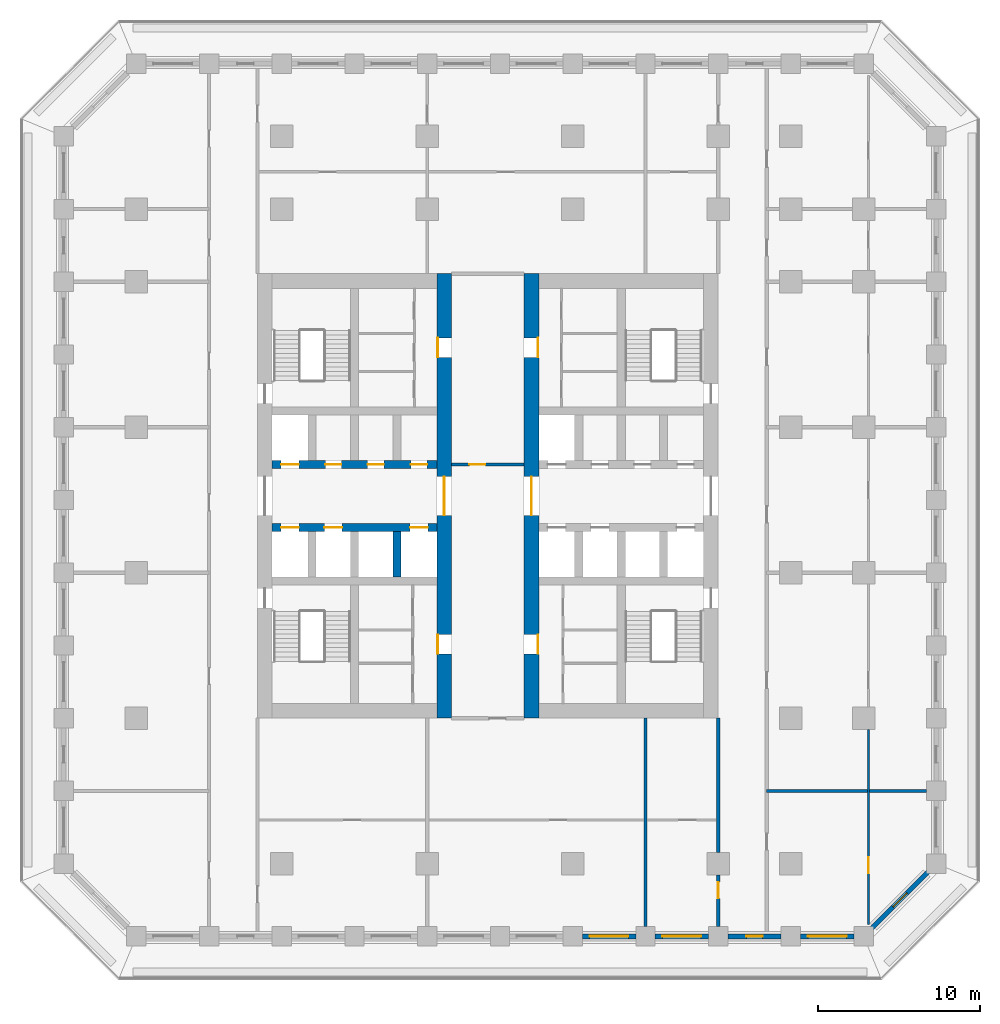
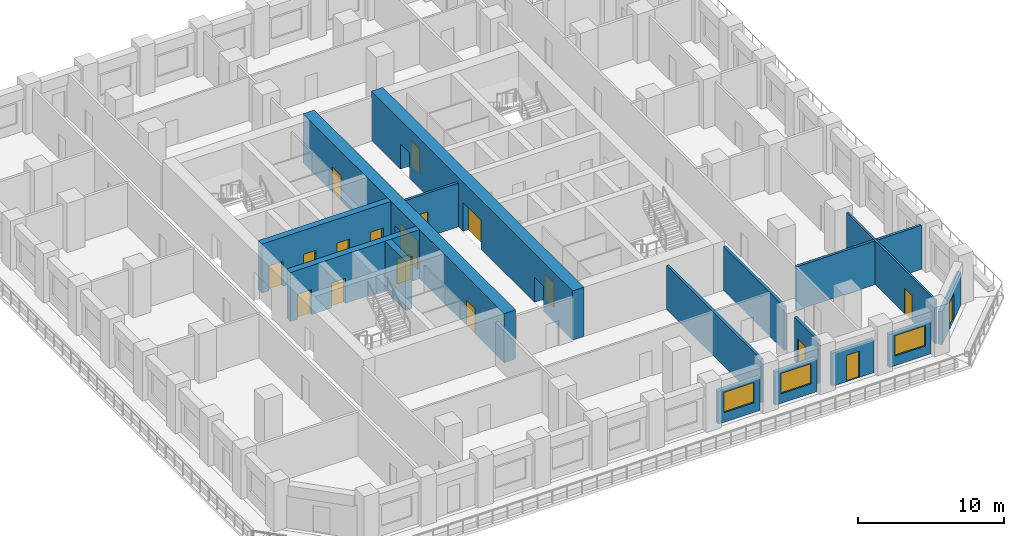
# One storey, part 4 of 17: 18 doors, 16 walls, 3 windows, 21 openings.
"""IFC4 building model written with IfcOpenShell, lengths in metres."""

from ifc_helpers import new_model, si_unit, direction, frame, frame_2d, origin, place, context, subcontext, project, spatial, rectangle, extrude, material, layer, layer_set, type_object, element, fill, save


model = new_model("IFC4")

# Units and contexts
model_context = context("Model", 3, precision=1e-05, world=origin(), true_north=direction((0.0, 1.0)))
body_context = subcontext(model_context, "Body", "Model", "MODEL_VIEW")
ifc_project = project(units=[si_unit("LENGTHUNIT", "METRE"), si_unit("AREAUNIT", "SQUARE_METRE"), si_unit("VOLUMEUNIT", "CUBIC_METRE"), si_unit("PLANEANGLEUNIT", "RADIAN"), si_unit("MASSUNIT", "GRAM", prefix="KILO")], contexts=[model_context])

# Site, building, storey
site_placement = place(None, origin())
site = spatial("IfcSite", under=ifc_project, at=site_placement, CompositionType="ELEMENT")
building_placement = place(site_placement, origin())
building = spatial("IfcBuilding", under=site, at=building_placement, Name="Corbel Stack Research Tower", CompositionType="ELEMENT")
storey_placement = place(building_placement, frame((0.0, 0.0, 94.300048828125)))
storey = spatial("IfcBuildingStorey", under=building, at=storey_placement, Name="L21", CompositionType="ELEMENT", Elevation=94.300048828125)

# Wall, openings, doors
ifc_material_1 = material(Name="Concrete C70/85", Category="concrete")
ifc_layer_1 = layer(ifc_material_1, 0.5)
ifc_layer_set_1 = layer_set([ifc_layer_1], Name="Concrete C70/85")
wall_type_1 = type_object("IfcWallType", Name="CW-500-70", PredefinedType="SHEAR", material=ifc_layer_set_1)
wall_1_placement = place(storey_placement, frame((-9.60009765625, 2.800048828125, 0.0), z_axis=(0.0, 0.0, 1.0), x_axis=(1.0, 0.0, 0.0)))
wall_1 = element("IfcWall", 1, at=wall_1_placement, inside=storey, type_object=wall_type_1, Name="West core wall, lobby south L21", PredefinedType="SHEAR", context=body_context, shape_type="SweptSolid", body=[
    extrude(rectangle(XDim=10.2001953125, YDim=0.5, at=frame_2d((5.10009765625, 0.0))), origin(), (0.0, 0.0, 1.0), 4.099853515625),
])
opening_1_placement = place(wall_1_placement, frame((0.5625, 0.0, 0.0)))
opening_1 = element("IfcOpeningElement", 2, at=opening_1_placement, cuts=wall_1, Name="Opening LD-FS1", PredefinedType="OPENING", context=body_context, shape_type="SweptSolid", body=[
    extrude(rectangle(XDim=1.10009765625, YDim=2.10009765625, at=frame_2d((0.550048828125, 1.050048828125))), frame((0.0, 0.260009765625, 0.0), z_axis=(0.0, -1.0, 0.0), x_axis=(1.0, 0.0, 0.0)), (0.0, 0.0, 1.0), 0.52001953125),
])
opening_2_placement = place(wall_1_placement, frame((3.237548828125, 0.0, 0.0)))
opening_2 = element("IfcOpeningElement", 3, at=opening_2_placement, cuts=wall_1, Name="Opening LD-GL1", PredefinedType="OPENING", context=body_context, shape_type="SweptSolid", body=[
    extrude(rectangle(XDim=1.10009765625, YDim=2.10009765625, at=frame_2d((0.550048828125, 1.050048828125))), frame((0.0, 0.260009765625, 0.0), z_axis=(0.0, -1.0, 0.0), x_axis=(1.0, 0.0, 0.0)), (0.0, 0.0, 1.0), 0.52001953125),
])
opening_3_placement = place(wall_1_placement, frame((8.53759765625, 0.0, 0.0)))
opening_3 = element("IfcOpeningElement", 4, at=opening_3_placement, cuts=wall_1, Name="Opening LD-LR1", PredefinedType="OPENING", context=body_context, shape_type="SweptSolid", body=[
    extrude(rectangle(XDim=1.10009765625, YDim=2.10009765625, at=frame_2d((0.550048828125, 1.050048828125))), frame((0.0, 0.260009765625, 0.0), z_axis=(0.0, -1.0, 0.0), x_axis=(1.0, 0.0, 0.0)), (0.0, 0.0, 1.0), 0.52001953125),
])
ifc_material_2 = material(Name="Stainless steel landing door", Category="steel")
door_type_1 = type_object("IfcDoorType", Name="Lift landing door 1100 x 2100", OperationType="DOUBLE_DOOR_SLIDING", PredefinedType="DOOR", material=ifc_material_2)
door_1_placement = place(opening_1_placement, origin())
door_1 = element("IfcDoor", 5, at=door_1_placement, inside=storey, type_object=door_type_1, Name="Landing door FS1", OperationType="DOUBLE_DOOR_SLIDING", OverallHeight=2.10009765625, OverallWidth=1.10009765625, PredefinedType="DOOR", context=body_context, shape_type="SweptSolid", body=[
    extrude(rectangle(XDim=1.10009765625, YDim=2.10009765625, at=frame_2d((0.550048828125, 1.050048828125))), frame((0.0, 0.02490234375, 0.0), z_axis=(0.0, -1.0, 0.0), x_axis=(1.0, 0.0, 0.0)), (0.0, 0.0, 1.0), 0.050048828125),
])
fill(opening_1, door_1)
door_2_placement = place(opening_2_placement, origin())
door_2 = element("IfcDoor", 6, at=door_2_placement, inside=storey, type_object=door_type_1, Name="Landing door GL1", OperationType="DOUBLE_DOOR_SLIDING", OverallHeight=2.10009765625, OverallWidth=1.10009765625, PredefinedType="DOOR", context=body_context, shape_type="SweptSolid", body=[
    extrude(rectangle(XDim=1.10009765625, YDim=2.10009765625, at=frame_2d((0.550048828125, 1.050048828125))), frame((0.0, 0.02490234375, 0.0), z_axis=(0.0, -1.0, 0.0), x_axis=(1.0, 0.0, 0.0)), (0.0, 0.0, 1.0), 0.050048828125),
])
fill(opening_2, door_2)
door_3_placement = place(opening_3_placement, origin())
door_3 = element("IfcDoor", 7, at=door_3_placement, inside=storey, type_object=door_type_1, Name="Landing door LR1", OperationType="DOUBLE_DOOR_SLIDING", OverallHeight=2.10009765625, OverallWidth=1.10009765625, PredefinedType="DOOR", context=body_context, shape_type="SweptSolid", body=[
    extrude(rectangle(XDim=1.10009765625, YDim=2.10009765625, at=frame_2d((0.550048828125, 1.050048828125))), frame((0.0, 0.02490234375, 0.0), z_axis=(0.0, -1.0, 0.0), x_axis=(1.0, 0.0, 0.0)), (0.0, 0.0, 1.0), 0.050048828125),
])
fill(opening_3, door_3)

wall_2_placement = place(storey_placement, frame((-9.60009765625, 6.699951171875, 0.0), z_axis=(0.0, 0.0, 1.0), x_axis=(1.0, 0.0, 0.0)))
wall_2 = element("IfcWall", 8, at=wall_2_placement, inside=storey, type_object=wall_type_1, Name="West core wall, lobby north L21", PredefinedType="SHEAR", context=body_context, shape_type="SweptSolid", body=[
    extrude(rectangle(XDim=10.2001953125, YDim=0.5, at=frame_2d((5.10009765625, 0.0))), origin(), (0.0, 0.0, 1.0), 4.099853515625),
])
opening_4_placement = place(wall_2_placement, frame((0.5625, 0.0, 0.0)))
opening_4 = element("IfcOpeningElement", 9, at=opening_4_placement, cuts=wall_2, Name="Opening LD-LR2", PredefinedType="OPENING", context=body_context, shape_type="SweptSolid", body=[
    extrude(rectangle(XDim=1.10009765625, YDim=2.10009765625, at=frame_2d((0.550048828125, 1.050048828125))), frame((0.0, 0.260009765625, 0.0), z_axis=(0.0, -1.0, 0.0), x_axis=(1.0, 0.0, 0.0)), (0.0, 0.0, 1.0), 0.52001953125),
])
opening_5_placement = place(wall_2_placement, frame((3.28759765625, 0.0, 0.0)))
opening_5 = element("IfcOpeningElement", 10, at=opening_5_placement, cuts=wall_2, Name="Opening CR-W12-N2", PredefinedType="OPENING", context=body_context, shape_type="SweptSolid", body=[
    extrude(rectangle(XDim=1.0, YDim=2.10009765625, at=frame_2d((0.5, 1.050048828125))), frame((0.0, 0.260009765625, 0.0), z_axis=(0.0, -1.0, 0.0), x_axis=(1.0, 0.0, 0.0)), (0.0, 0.0, 1.0), 0.52001953125),
])
opening_6_placement = place(wall_2_placement, frame((5.91259765625, 0.0, 0.0)))
opening_6 = element("IfcOpeningElement", 11, at=opening_6_placement, cuts=wall_2, Name="Opening CR-W12-N3", PredefinedType="OPENING", context=body_context, shape_type="SweptSolid", body=[
    extrude(rectangle(XDim=1.0, YDim=2.10009765625, at=frame_2d((0.5, 1.050048828125))), frame((0.0, 0.260009765625, 0.0), z_axis=(0.0, -1.0, 0.0), x_axis=(1.0, 0.0, 0.0)), (0.0, 0.0, 1.0), 0.52001953125),
])
opening_7_placement = place(wall_2_placement, frame((8.58740234375, 0.0, 0.0)))
opening_7 = element("IfcOpeningElement", 12, at=opening_7_placement, cuts=wall_2, Name="Opening CR-W12-N4", PredefinedType="OPENING", context=body_context, shape_type="SweptSolid", body=[
    extrude(rectangle(XDim=1.0, YDim=2.10009765625, at=frame_2d((0.5, 1.050048828125))), frame((0.0, 0.260009765625, 0.0), z_axis=(0.0, -1.0, 0.0), x_axis=(1.0, 0.0, 0.0)), (0.0, 0.0, 1.0), 0.52001953125),
])
door_4_placement = place(opening_4_placement, origin())
door_4 = element("IfcDoor", 13, at=door_4_placement, inside=storey, type_object=door_type_1, Name="Landing door LR2", OperationType="DOUBLE_DOOR_SLIDING", OverallHeight=2.10009765625, OverallWidth=1.10009765625, PredefinedType="DOOR", context=body_context, shape_type="SweptSolid", body=[
    extrude(rectangle(XDim=1.10009765625, YDim=2.10009765625, at=frame_2d((0.550048828125, 1.050048828125))), frame((0.0, 0.02490234375, 0.0), z_axis=(0.0, -1.0, 0.0), x_axis=(1.0, 0.0, 0.0)), (0.0, 0.0, 1.0), 0.050048828125),
])
fill(opening_4, door_4)
ifc_material_3 = material(Name="Painted steel door", Category="steel")
door_type_2 = type_object("IfcDoorType", Name="Service door 1000 x 2100 FD60 left hand", OperationType="SINGLE_SWING_LEFT", PredefinedType="DOOR", material=ifc_material_3)
door_5_placement = place(opening_6_placement, origin())
door_5 = element("IfcDoor", 14, at=door_5_placement, inside=storey, type_object=door_type_2, Name="Mechanical room door W core", OperationType="SINGLE_SWING_LEFT", OverallHeight=2.10009765625, OverallWidth=1.0, PredefinedType="DOOR", context=body_context, shape_type="SweptSolid", body=[
    extrude(rectangle(XDim=1.0, YDim=2.10009765625, at=frame_2d((0.5, 1.050048828125))), frame((0.0, 0.02490234375, 0.0), z_axis=(0.0, -1.0, 0.0), x_axis=(1.0, 0.0, 0.0)), (0.0, 0.0, 1.0), 0.050048828125),
])
fill(opening_6, door_5)
ifc_material_4 = material(Name="Painted steel door", Category="steel")
door_type_3 = type_object("IfcDoorType", Name="Service door 1000 x 2100 FD60 right hand", OperationType="SINGLE_SWING_RIGHT", PredefinedType="DOOR", material=ifc_material_4)
door_6_placement = place(opening_5_placement, origin())
door_6 = element("IfcDoor", 15, at=door_6_placement, inside=storey, type_object=door_type_3, Name="Vending bay door W core", OperationType="SINGLE_SWING_RIGHT", OverallHeight=2.10009765625, OverallWidth=1.0, PredefinedType="DOOR", context=body_context, shape_type="SweptSolid", body=[
    extrude(rectangle(XDim=1.0, YDim=2.10009765625, at=frame_2d((0.5, 1.050048828125))), frame((0.0, 0.02490234375, 0.0), z_axis=(0.0, -1.0, 0.0), x_axis=(1.0, 0.0, 0.0)), (0.0, 0.0, 1.0), 0.050048828125),
])
fill(opening_5, door_6)
door_7_placement = place(opening_7_placement, origin())
door_7 = element("IfcDoor", 16, at=door_7_placement, inside=storey, type_object=door_type_3, Name="Telecom room door W core", OperationType="SINGLE_SWING_RIGHT", OverallHeight=2.10009765625, OverallWidth=1.0, PredefinedType="DOOR", context=body_context, shape_type="SweptSolid", body=[
    extrude(rectangle(XDim=1.0, YDim=2.10009765625, at=frame_2d((0.5, 1.050048828125))), frame((0.0, 0.02490234375, 0.0), z_axis=(0.0, -1.0, 0.0), x_axis=(1.0, 0.0, 0.0)), (0.0, 0.0, 1.0), 0.050048828125),
])
fill(opening_7, door_7)

# Wall
wall_3_placement = place(storey_placement, frame((-1.875, -0.25, 0.0), z_axis=(0.0, 0.0, 1.0), x_axis=(0.0, 1.0, 0.0)))
element("IfcWall", 17, at=wall_3_placement, inside=storey, type_object=wall_type_1, Name="West core wall, south shaft 3 L21", PredefinedType="SHEAR", context=body_context, shape_type="SweptSolid", body=[
    extrude(rectangle(XDim=2.800048828125, YDim=0.5, at=frame_2d((1.39990234375, 0.0))), origin(), (0.0, 0.0, 1.0), 4.099853515625),
])

# Wall, openings, doors
ifc_material_5 = material(Name="Concrete C70/85", Category="concrete")
ifc_layer_2 = layer(ifc_material_5, 0.89990234375)
ifc_layer_set_2 = layer_set([ifc_layer_2], Name="Concrete C70/85")
wall_type_2 = type_object("IfcWallType", Name="CW-900-70", PredefinedType="SHEAR", material=ifc_layer_set_2)
wall_4_placement = place(storey_placement, frame((1.050048828125, -9.0, 0.0), z_axis=(0.0, 0.0, 1.0), x_axis=(0.0, 1.0, 0.0)))
wall_4 = element("IfcWall", 18, at=wall_4_placement, inside=storey, type_object=wall_type_2, Name="West core wall, east face L21", PredefinedType="SHEAR", context=body_context, shape_type="SweptSolid", body=[
    extrude(rectangle(XDim=27.5, YDim=0.89990234375, at=frame_2d((13.75, 0.0))), origin(), (0.0, 0.0, 1.0), 4.099853515625),
])
opening_8_placement = place(wall_4_placement, frame((12.550048828125, 0.0, 0.0)))
opening_8 = element("IfcOpeningElement", 19, at=opening_8_placement, cuts=wall_4, Name="Opening CD-W-E", PredefinedType="OPENING", context=body_context, shape_type="SweptSolid", body=[
    extrude(rectangle(XDim=2.39990234375, YDim=2.39990234375, at=frame_2d((1.199951171875, 1.199951171875))), frame((0.0, 0.4599609375, 0.0), z_axis=(0.0, -1.0, 0.0), x_axis=(1.0, 0.0, 0.0)), (0.0, 0.0, 1.0), 0.919921875),
])
opening_9_placement = place(wall_4_placement, frame((3.97509765625, 0.0, 0.0)))
opening_9 = element("IfcOpeningElement", 20, at=opening_9_placement, cuts=wall_4, Name="Opening CR-W12-W1-1200", PredefinedType="OPENING", context=body_context, shape_type="SweptSolid", body=[
    extrude(rectangle(XDim=1.199951171875, YDim=2.10009765625, at=frame_2d((0.60009765625, 1.050048828125))), frame((0.0, 0.4599609375, 0.0), z_axis=(0.0, -1.0, 0.0), x_axis=(1.0, 0.0, 0.0)), (0.0, 0.0, 1.0), 0.919921875),
])
opening_10_placement = place(wall_4_placement, frame((22.324951171875, 0.0, 0.0)))
opening_10 = element("IfcOpeningElement", 21, at=opening_10_placement, cuts=wall_4, Name="Opening CR-W12-R1-1200", PredefinedType="OPENING", context=body_context, shape_type="SweptSolid", body=[
    extrude(rectangle(XDim=1.199951171875, YDim=2.10009765625, at=frame_2d((0.60009765625, 1.050048828125))), frame((0.0, 0.4599609375, 0.0), z_axis=(0.0, -1.0, 0.0), x_axis=(1.0, 0.0, 0.0)), (0.0, 0.0, 1.0), 0.919921875),
])
ifc_material_6 = material(Name="Painted steel fire door", Category="steel")
door_type_4 = type_object("IfcDoorType", Name="Lobby door pair 2400 x 2400 FD30S", OperationType="DOUBLE_DOOR_DOUBLE_SWING", PredefinedType="DOOR", material=ifc_material_6)
door_8_placement = place(opening_8_placement, origin())
door_8 = element("IfcDoor", 22, at=door_8_placement, inside=storey, type_object=door_type_4, Name="Lift lobby door W core E", OperationType="DOUBLE_DOOR_DOUBLE_SWING", OverallHeight=2.39990234375, OverallWidth=2.39990234375, PredefinedType="DOOR", context=body_context, shape_type="SweptSolid", body=[
    extrude(rectangle(XDim=2.39990234375, YDim=2.39990234375, at=frame_2d((1.199951171875, 1.199951171875))), frame((0.0, 0.02490234375, 0.0), z_axis=(0.0, -1.0, 0.0), x_axis=(1.0, 0.0, 0.0)), (0.0, 0.0, 1.0), 0.050048828125),
])
fill(opening_8, door_8)
ifc_material_7 = material(Name="Painted steel door", Category="steel")
door_type_5 = type_object("IfcDoorType", Name="Service door 1200 x 2100 FD30 left hand", OperationType="SINGLE_SWING_LEFT", PredefinedType="DOOR", material=ifc_material_7)
door_9_placement = place(opening_10_placement, origin())
door_9 = element("IfcDoor", 23, at=door_9_placement, inside=storey, type_object=door_type_5, Name="Service passage door W core", OperationType="SINGLE_SWING_LEFT", OverallHeight=2.10009765625, OverallWidth=1.199951171875, PredefinedType="DOOR", context=body_context, shape_type="SweptSolid", body=[
    extrude(rectangle(XDim=1.199951171875, YDim=2.10009765625, at=frame_2d((0.60009765625, 1.050048828125))), frame((0.0, 0.4248046875, 0.0), z_axis=(0.0, -1.0, 0.0), x_axis=(1.0, 0.0, 0.0)), (0.0, 0.0, 1.0), 0.050048828125),
])
fill(opening_10, door_9)
ifc_material_8 = material(Name="Painted timber door", Category="wood")
door_type_6 = type_object("IfcDoorType", Name="WC door 1200 x 2100 left hand", OperationType="SINGLE_SWING_LEFT", PredefinedType="DOOR", material=ifc_material_8)
door_10_placement = place(opening_9_placement, origin())
door_10 = element("IfcDoor", 24, at=door_10_placement, inside=storey, type_object=door_type_6, Name="WC lobby door W core", OperationType="SINGLE_SWING_LEFT", OverallHeight=2.10009765625, OverallWidth=1.199951171875, PredefinedType="DOOR", context=body_context, shape_type="SweptSolid", body=[
    extrude(rectangle(XDim=1.199951171875, YDim=2.10009765625, at=frame_2d((0.60009765625, 1.050048828125))), frame((0.0, 0.4248046875, 0.0), z_axis=(0.0, -1.0, 0.0), x_axis=(1.0, 0.0, 0.0)), (0.0, 0.0, 1.0), 0.050048828125),
])
fill(opening_9, door_10)

wall_5_placement = place(storey_placement, frame((6.449951171875, -9.0, 0.0), z_axis=(0.0, 0.0, 1.0), x_axis=(0.0, 1.0, 0.0)))
wall_5 = element("IfcWall", 25, at=wall_5_placement, inside=storey, type_object=wall_type_2, Name="East core wall, west face L21", PredefinedType="SHEAR", context=body_context, shape_type="SweptSolid", body=[
    extrude(rectangle(XDim=27.5, YDim=0.89990234375, at=frame_2d((13.75, 0.0))), origin(), (0.0, 0.0, 1.0), 4.099853515625),
])
opening_11_placement = place(wall_5_placement, frame((12.550048828125, 0.0, 0.0)))
opening_11 = element("IfcOpeningElement", 26, at=opening_11_placement, cuts=wall_5, Name="Opening CD-E-W", PredefinedType="OPENING", context=body_context, shape_type="SweptSolid", body=[
    extrude(rectangle(XDim=2.39990234375, YDim=2.39990234375, at=frame_2d((1.199951171875, 1.199951171875))), frame((0.0, 0.4599609375, 0.0), z_axis=(0.0, -1.0, 0.0), x_axis=(1.0, 0.0, 0.0)), (0.0, 0.0, 1.0), 0.919921875),
])
opening_12_placement = place(wall_5_placement, frame((3.97509765625, 0.0, 0.0)))
opening_12 = element("IfcOpeningElement", 27, at=opening_12_placement, cuts=wall_5, Name="Opening CR-E12-W1-1200", PredefinedType="OPENING", context=body_context, shape_type="SweptSolid", body=[
    extrude(rectangle(XDim=1.199951171875, YDim=2.10009765625, at=frame_2d((0.60009765625, 1.050048828125))), frame((0.0, 0.4599609375, 0.0), z_axis=(0.0, -1.0, 0.0), x_axis=(1.0, 0.0, 0.0)), (0.0, 0.0, 1.0), 0.919921875),
])
opening_13_placement = place(wall_5_placement, frame((22.324951171875, 0.0, 0.0)))
opening_13 = element("IfcOpeningElement", 28, at=opening_13_placement, cuts=wall_5, Name="Opening CR-E12-R1-1200", PredefinedType="OPENING", context=body_context, shape_type="SweptSolid", body=[
    extrude(rectangle(XDim=1.199951171875, YDim=2.10009765625, at=frame_2d((0.60009765625, 1.050048828125))), frame((0.0, 0.4599609375, 0.0), z_axis=(0.0, -1.0, 0.0), x_axis=(1.0, 0.0, 0.0)), (0.0, 0.0, 1.0), 0.919921875),
])
door_11_placement = place(opening_11_placement, origin())
door_11 = element("IfcDoor", 29, at=door_11_placement, inside=storey, type_object=door_type_4, Name="Lift lobby door E core W", OperationType="DOUBLE_DOOR_DOUBLE_SWING", OverallHeight=2.39990234375, OverallWidth=2.39990234375, PredefinedType="DOOR", context=body_context, shape_type="SweptSolid", body=[
    extrude(rectangle(XDim=2.39990234375, YDim=2.39990234375, at=frame_2d((1.199951171875, 1.199951171875))), frame((0.0, 0.02490234375, 0.0), z_axis=(0.0, -1.0, 0.0), x_axis=(1.0, 0.0, 0.0)), (0.0, 0.0, 1.0), 0.050048828125),
])
fill(opening_11, door_11)
ifc_material_9 = material(Name="Painted steel door", Category="steel")
door_type_7 = type_object("IfcDoorType", Name="Service door 1200 x 2100 FD30 right hand", OperationType="SINGLE_SWING_RIGHT", PredefinedType="DOOR", material=ifc_material_9)
door_12_placement = place(opening_13_placement, origin())
door_12 = element("IfcDoor", 30, at=door_12_placement, inside=storey, type_object=door_type_7, Name="Service passage door E core", OperationType="SINGLE_SWING_RIGHT", OverallHeight=2.10009765625, OverallWidth=1.199951171875, PredefinedType="DOOR", context=body_context, shape_type="SweptSolid", body=[
    extrude(rectangle(XDim=1.199951171875, YDim=2.10009765625, at=frame_2d((0.60009765625, 1.050048828125))), frame((0.0, -0.375, 0.0), z_axis=(0.0, -1.0, 0.0), x_axis=(1.0, 0.0, 0.0)), (0.0, 0.0, 1.0), 0.050048828125),
])
fill(opening_13, door_12)
ifc_material_10 = material(Name="Painted timber door", Category="wood")
door_type_8 = type_object("IfcDoorType", Name="WC door 1200 x 2100 right hand", OperationType="SINGLE_SWING_RIGHT", PredefinedType="DOOR", material=ifc_material_10)
door_13_placement = place(opening_12_placement, origin())
door_13 = element("IfcDoor", 31, at=door_13_placement, inside=storey, type_object=door_type_8, Name="WC lobby door E core", OperationType="SINGLE_SWING_RIGHT", OverallHeight=2.10009765625, OverallWidth=1.199951171875, PredefinedType="DOOR", context=body_context, shape_type="SweptSolid", body=[
    extrude(rectangle(XDim=1.199951171875, YDim=2.10009765625, at=frame_2d((0.60009765625, 1.050048828125))), frame((0.0, -0.375, 0.0), z_axis=(0.0, -1.0, 0.0), x_axis=(1.0, 0.0, 0.0)), (0.0, 0.0, 1.0), 0.050048828125),
])
fill(opening_12, door_13)

# Wall
ifc_material_11 = material(Name="Fire-rated gypsum board partition on steel studs", Category="steel")
ifc_layer_3 = layer(ifc_material_11, 0.199951171875)
ifc_layer_set_3 = layer_set([ifc_layer_3], Name="Fire-rated gypsum board partition on steel studs")
wall_type_3 = type_object("IfcWallType", Name="Fire-rated partition 200 EI 60", PredefinedType="PARTITIONING", material=ifc_layer_set_3)
wall_6_placement = place(storey_placement, frame((13.5, -21.89990234375, 0.0), z_axis=(0.0, 0.0, 1.0), x_axis=(0.0, 1.0, 0.0)))
element("IfcWall", 32, at=wall_6_placement, inside=storey, type_object=wall_type_3, Name="Partition L21-009", PredefinedType="PARTITIONING", context=body_context, shape_type="SweptSolid", body=[
    extrude(rectangle(XDim=12.89990234375, YDim=0.199951171875, at=frame_2d((6.449951171875, 0.0))), origin(), (0.0, 0.0, 1.0), 3.64990234375),
])

# Wall, opening, door
wall_7_placement = place(storey_placement, frame((18.0, -21.89990234375, 0.0), z_axis=(0.0, 0.0, 1.0), x_axis=(0.0, 1.0, 0.0)))
wall_7 = element("IfcWall", 33, at=wall_7_placement, inside=storey, type_object=wall_type_3, Name="Partition L21-011", PredefinedType="PARTITIONING", context=body_context, shape_type="SweptSolid", body=[
    extrude(rectangle(XDim=3.199951171875, YDim=0.199951171875, at=frame_2d((1.60009765625, 0.0))), origin(), (0.0, 0.0, 1.0), 3.64990234375),
])
opening_14_placement = place(wall_7_placement, frame((1.75, 0.0, 0.0)))
opening_14 = element("IfcOpeningElement", 34, at=opening_14_placement, cuts=wall_7, Name="Opening B3V1-015", PredefinedType="OPENING", context=body_context, shape_type="SweptSolid", body=[
    extrude(rectangle(XDim=1.0, YDim=2.10009765625, at=frame_2d((0.5, 1.050048828125))), frame((0.0, 0.10986328125, 0.0), z_axis=(0.0, -1.0, 0.0), x_axis=(1.0, 0.0, 0.0)), (0.0, 0.0, 1.0), 0.219970703125),
])
ifc_material_12 = material(Name="Painted steel fire door", Category="steel")
door_type_9 = type_object("IfcDoorType", Name="Fire door FD30S 1000 x 2100", OperationType="NOTDEFINED", PredefinedType="DOOR", material=ifc_material_12)
door_14_placement = place(opening_14_placement, origin())
door_14 = element("IfcDoor", 35, at=door_14_placement, inside=storey, type_object=door_type_9, Name="Door B3V1-015", OperationType="SINGLE_SWING_RIGHT", OverallHeight=2.10009765625, OverallWidth=1.0, PredefinedType="DOOR", context=body_context, shape_type="SweptSolid", body=[
    extrude(rectangle(XDim=1.0, YDim=2.10009765625, at=frame_2d((0.5, 1.050048828125))), frame((0.0, 0.02490234375, 0.0), z_axis=(0.0, -1.0, 0.0), x_axis=(1.0, 0.0, 0.0)), (0.0, 0.0, 1.0), 0.050048828125),
])
fill(opening_14, door_14)

# Walls
wall_8_placement = place(storey_placement, frame((18.0, -17.300048828125, 0.0), z_axis=(0.0, 0.0, 1.0), x_axis=(0.0, 1.0, 0.0)))
element("IfcWall", 36, at=wall_8_placement, inside=storey, type_object=wall_type_3, Name="Partition L21-012", PredefinedType="PARTITIONING", context=body_context, shape_type="SweptSolid", body=[
    extrude(rectangle(XDim=8.300048828125, YDim=0.199951171875, at=frame_2d((4.14990234375, 0.0))), origin(), (0.0, 0.0, 1.0), 3.64990234375),
])
wall_9_placement = place(storey_placement, frame((21.0, -13.5, 0.0), z_axis=(0.0, 0.0, 1.0), x_axis=(1.0, 0.0, 0.0)))
element("IfcWall", 37, at=wall_9_placement, inside=storey, type_object=wall_type_3, Name="Partition L21-025", PredefinedType="PARTITIONING", context=body_context, shape_type="SweptSolid", body=[
    extrude(rectangle(XDim=9.89990234375, YDim=0.199951171875, at=frame_2d((4.949951171875, 0.0))), origin(), (0.0, 0.0, 1.0), 3.64990234375),
])

# Wall, opening, door
wall_10_placement = place(storey_placement, frame((1.5, 6.699951171875, 0.0), z_axis=(0.0, 0.0, 1.0), x_axis=(1.0, 0.0, 0.0)))
wall_10 = element("IfcWall", 38, at=wall_10_placement, inside=storey, type_object=wall_type_3, Name="Partition L21-032", PredefinedType="PARTITIONING", context=body_context, shape_type="SweptSolid", body=[
    extrude(rectangle(XDim=4.5, YDim=0.199951171875, at=frame_2d((2.25, 0.0))), origin(), (0.0, 0.0, 1.0), 3.64990234375),
])
opening_15_placement = place(wall_10_placement, frame((1.10009765625, 0.0, 0.0)))
opening_15 = element("IfcOpeningElement", 39, at=opening_15_placement, cuts=wall_10, Name="Opening B3V1-014", PredefinedType="OPENING", context=body_context, shape_type="SweptSolid", body=[
    extrude(rectangle(XDim=1.0, YDim=2.10009765625, at=frame_2d((0.5, 1.050048828125))), frame((0.0, 0.10986328125, 0.0), z_axis=(0.0, -1.0, 0.0), x_axis=(1.0, 0.0, 0.0)), (0.0, 0.0, 1.0), 0.219970703125),
])
door_15_placement = place(opening_15_placement, origin())
door_15 = element("IfcDoor", 40, at=door_15_placement, inside=storey, type_object=door_type_9, Name="Door B3V1-014", OperationType="SINGLE_SWING_LEFT", OverallHeight=2.10009765625, OverallWidth=1.0, PredefinedType="DOOR", context=body_context, shape_type="SweptSolid", body=[
    extrude(rectangle(XDim=1.0, YDim=2.10009765625, at=frame_2d((0.5, 1.050048828125))), frame((0.0, 0.02490234375, 0.0), z_axis=(0.0, -1.0, 0.0), x_axis=(1.0, 0.0, 0.0)), (0.0, 0.0, 1.0), 0.050048828125),
])
fill(opening_15, door_15)

ifc_material_13 = material(Name="Gypsum board partition on steel studs", Category="steel")
ifc_layer_4 = layer(ifc_material_13, 0.14990234375)
ifc_layer_set_4 = layer_set([ifc_layer_4], Name="Gypsum board partition on steel studs")
wall_type_4 = type_object("IfcWallType", Name="Partition 150", PredefinedType="PARTITIONING", material=ifc_layer_set_4)
wall_11_placement = place(storey_placement, frame((27.300048828125, -9.699951171875, 0.0), z_axis=(0.0, 0.0, 1.0), x_axis=(0.0, -1.0, 0.0)))
wall_11 = element("IfcWall", 41, at=wall_11_placement, inside=storey, type_object=wall_type_4, Name="Partition L21-017", PredefinedType="PARTITIONING", context=body_context, shape_type="SweptSolid", body=[
    extrude(rectangle(XDim=12.0771484375, YDim=0.14990234375, at=frame_2d((6.03857421875, 0.0))), origin(), (0.0, 0.0, 1.0), 3.64990234375),
])
opening_16_placement = place(wall_11_placement, frame((7.89990234375, 0.0, 0.0)))
opening_16 = element("IfcOpeningElement", 42, at=opening_16_placement, cuts=wall_11, Name="Opening B3V1-026", PredefinedType="OPENING", context=body_context, shape_type="SweptSolid", body=[
    extrude(rectangle(XDim=1.0, YDim=2.10009765625, at=frame_2d((0.5, 1.050048828125))), frame((0.0, 0.0849609375, 0.0), z_axis=(0.0, -1.0, 0.0), x_axis=(1.0, 0.0, 0.0)), (0.0, 0.0, 1.0), 0.169921875),
])
ifc_material_14 = material(Name="Painted timber door", Category="wood")
door_type_10 = type_object("IfcDoorType", Name="Single door 1000 x 2100", OperationType="NOTDEFINED", PredefinedType="DOOR", material=ifc_material_14)
door_16_placement = place(opening_16_placement, origin())
door_16 = element("IfcDoor", 43, at=door_16_placement, inside=storey, type_object=door_type_10, Name="Door B3V1-026", OperationType="SINGLE_SWING_RIGHT", OverallHeight=2.10009765625, OverallWidth=1.0, PredefinedType="DOOR", context=body_context, shape_type="SweptSolid", body=[
    extrude(rectangle(XDim=1.0, YDim=2.10009765625, at=frame_2d((0.5, 1.050048828125))), frame((0.0, 0.02490234375, 0.0), z_axis=(0.0, -1.0, 0.0), x_axis=(1.0, 0.0, 0.0)), (0.0, 0.0, 1.0), 0.050048828125),
])
fill(opening_16, door_16)

# Wall, opening, window
ifc_material_15 = material(Name="Concrete C45/55", Category="concrete")
ifc_layer_5 = layer(ifc_material_15, 0.300048828125)
ifc_layer_set_5 = layer_set([ifc_layer_5], Name="Concrete C45/55")
wall_type_5 = type_object("IfcWallType", Name="Terracotta-faced concrete wall 300", PredefinedType="SOLIDWALL", material=ifc_layer_set_5)
wall_12_placement = place(storey_placement, frame((12.89990234375, -22.5, 0.0), z_axis=(0.0, 0.0, 1.0), x_axis=(-1.0, 0.0, 0.0)))
wall_12 = element("IfcWall", 44, at=wall_12_placement, inside=storey, type_object=wall_type_5, Name="Facade wall L21 S07", PredefinedType="SOLIDWALL", context=body_context, shape_type="SweptSolid", body=[
    extrude(rectangle(XDim=3.2998046875, YDim=0.300048828125, at=frame_2d((1.64990234375, 0.0))), origin(), (0.0, 0.0, 1.0), 2.75),
])
opening_17_placement = place(wall_12_placement, frame((0.449951171875, 0.0, 0.800048828125)))
opening_17 = element("IfcOpeningElement", 45, at=opening_17_placement, cuts=wall_12, Name="Opening W1", PredefinedType="OPENING", context=body_context, shape_type="SweptSolid", body=[
    extrude(rectangle(XDim=2.39990234375, YDim=1.699951171875, at=frame_2d((1.199951171875, 0.85009765625))), frame((0.0, 0.159912109375, 0.0), z_axis=(0.0, -1.0, 0.0), x_axis=(1.0, 0.0, 0.0)), (0.0, 0.0, 1.0), 0.320068359375),
])
ifc_material_16 = material(Name="Aluminium frame, clear double glazing", Category="aluminium")
window_type = type_object("IfcWindowType", Name="Window W1 2400 x 1700", PartitioningType="SINGLE_PANEL", PredefinedType="WINDOW", material=ifc_material_16)
window_1_placement = place(opening_17_placement, origin())
window_1 = element("IfcWindow", 46, at=window_1_placement, inside=storey, type_object=window_type, Name="Window W1 L21 S07", OverallHeight=1.699951171875, OverallWidth=2.39990234375, PartitioningType="SINGLE_PANEL", PredefinedType="WINDOW", context=body_context, shape_type="SweptSolid", body=[
    extrude(rectangle(XDim=2.39990234375, YDim=1.699951171875, at=frame_2d((1.199951171875, 0.85009765625))), frame((0.0, 0.030029296875, 0.0), z_axis=(0.0, -1.0, 0.0), x_axis=(1.0, 0.0, 0.0)), (0.0, 0.0, 1.0), 0.06005859375),
])
fill(opening_17, window_1)

wall_13_placement = place(storey_placement, frame((17.39990234375, -22.5, 0.0), z_axis=(0.0, 0.0, 1.0), x_axis=(-1.0, 0.0, 0.0)))
wall_13 = element("IfcWall", 47, at=wall_13_placement, inside=storey, type_object=wall_type_5, Name="Facade wall L21 S08", PredefinedType="SOLIDWALL", context=body_context, shape_type="SweptSolid", body=[
    extrude(rectangle(XDim=3.2998046875, YDim=0.300048828125, at=frame_2d((1.64990234375, 0.0))), origin(), (0.0, 0.0, 1.0), 2.75),
])
opening_18_placement = place(wall_13_placement, frame((0.449951171875, 0.0, 0.800048828125)))
opening_18 = element("IfcOpeningElement", 48, at=opening_18_placement, cuts=wall_13, Name="Opening W1", PredefinedType="OPENING", context=body_context, shape_type="SweptSolid", body=[
    extrude(rectangle(XDim=2.39990234375, YDim=1.699951171875, at=frame_2d((1.199951171875, 0.85009765625))), frame((0.0, 0.159912109375, 0.0), z_axis=(0.0, -1.0, 0.0), x_axis=(1.0, 0.0, 0.0)), (0.0, 0.0, 1.0), 0.320068359375),
])
window_2_placement = place(opening_18_placement, origin())
window_2 = element("IfcWindow", 49, at=window_2_placement, inside=storey, type_object=window_type, Name="Window W1 L21 S08", OverallHeight=1.699951171875, OverallWidth=2.39990234375, PartitioningType="SINGLE_PANEL", PredefinedType="WINDOW", context=body_context, shape_type="SweptSolid", body=[
    extrude(rectangle(XDim=2.39990234375, YDim=1.699951171875, at=frame_2d((1.199951171875, 0.85009765625))), frame((0.0, 0.030029296875, 0.0), z_axis=(0.0, -1.0, 0.0), x_axis=(1.0, 0.0, 0.0)), (0.0, 0.0, 1.0), 0.06005859375),
])
fill(opening_18, window_2)

# Wall, opening, door
wall_14_placement = place(storey_placement, frame((21.89990234375, -22.5, 0.0), z_axis=(0.0, 0.0, 1.0), x_axis=(-1.0, 0.0, 0.0)))
wall_14 = element("IfcWall", 50, at=wall_14_placement, inside=storey, type_object=wall_type_5, Name="Facade wall L21 S09", PredefinedType="SOLIDWALL", context=body_context, shape_type="SweptSolid", body=[
    extrude(rectangle(XDim=3.2998046875, YDim=0.300048828125, at=frame_2d((1.64990234375, 0.0))), origin(), (0.0, 0.0, 1.0), 2.75),
])
opening_19_placement = place(wall_14_placement, frame((1.14990234375, 0.0, 0.0)))
opening_19 = element("IfcOpeningElement", 51, at=opening_19_placement, cuts=wall_14, Name="Opening L21-B02", PredefinedType="OPENING", context=body_context, shape_type="SweptSolid", body=[
    extrude(rectangle(XDim=1.0, YDim=2.199951171875, at=frame_2d((0.5, 1.10009765625))), frame((0.0, 0.159912109375, 0.0), z_axis=(0.0, -1.0, 0.0), x_axis=(1.0, 0.0, 0.0)), (0.0, 0.0, 1.0), 0.320068359375),
])
ifc_material_17 = material(Name="Aluminium frame, clear double glazing", Category="aluminium")
door_type_11 = type_object("IfcDoorType", Name="Balcony door BD1 1000 x 2200", OperationType="NOTDEFINED", PredefinedType="DOOR", material=ifc_material_17)
door_17_placement = place(opening_19_placement, origin())
door_17 = element("IfcDoor", 52, at=door_17_placement, inside=storey, type_object=door_type_11, Name="Balcony door L21-B02", OperationType="SINGLE_SWING_RIGHT", OverallHeight=2.199951171875, OverallWidth=1.0, PredefinedType="DOOR", context=body_context, shape_type="SweptSolid", body=[
    extrude(rectangle(XDim=1.0, YDim=2.199951171875, at=frame_2d((0.5, 1.10009765625))), frame((0.0, 0.02490234375, 0.0), z_axis=(0.0, -1.0, 0.0), x_axis=(1.0, 0.0, 0.0)), (0.0, 0.0, 1.0), 0.050048828125),
])
fill(opening_19, door_17)

# Wall, opening, window
wall_15_placement = place(storey_placement, frame((26.39990234375, -22.5, 0.0), z_axis=(0.0, 0.0, 1.0), x_axis=(-1.0, 0.0, 0.0)))
wall_15 = element("IfcWall", 53, at=wall_15_placement, inside=storey, type_object=wall_type_5, Name="Facade wall L21 S10", PredefinedType="SOLIDWALL", context=body_context, shape_type="SweptSolid", body=[
    extrude(rectangle(XDim=3.2998046875, YDim=0.300048828125, at=frame_2d((1.64990234375, 0.0))), origin(), (0.0, 0.0, 1.0), 2.75),
])
opening_20_placement = place(wall_15_placement, frame((0.449951171875, 0.0, 0.800048828125)))
opening_20 = element("IfcOpeningElement", 54, at=opening_20_placement, cuts=wall_15, Name="Opening W1", PredefinedType="OPENING", context=body_context, shape_type="SweptSolid", body=[
    extrude(rectangle(XDim=2.39990234375, YDim=1.699951171875, at=frame_2d((1.199951171875, 0.85009765625))), frame((0.0, 0.159912109375, 0.0), z_axis=(0.0, -1.0, 0.0), x_axis=(1.0, 0.0, 0.0)), (0.0, 0.0, 1.0), 0.320068359375),
])
window_3_placement = place(opening_20_placement, origin())
window_3 = element("IfcWindow", 55, at=window_3_placement, inside=storey, type_object=window_type, Name="Window W1 L21 S10", OverallHeight=1.699951171875, OverallWidth=2.39990234375, PartitioningType="SINGLE_PANEL", PredefinedType="WINDOW", context=body_context, shape_type="SweptSolid", body=[
    extrude(rectangle(XDim=2.39990234375, YDim=1.699951171875, at=frame_2d((1.199951171875, 0.85009765625))), frame((0.0, 0.030029296875, 0.0), z_axis=(0.0, -1.0, 0.0), x_axis=(1.0, 0.0, 0.0)), (0.0, 0.0, 1.0), 0.06005859375),
])
fill(opening_20, window_3)

# Wall, opening, door
wall_16_placement = place(storey_placement, frame((31.006103515625, -18.493896484375, 0.0), z_axis=(0.0, 0.0, 1.0), x_axis=(-0.707106781187, -0.707106781187, 0.0)))
wall_16 = element("IfcWall", 56, at=wall_16_placement, inside=storey, type_object=wall_type_5, Name="Facade wall L21 SE01", PredefinedType="SOLIDWALL", context=body_context, shape_type="SweptSolid", body=[
    extrude(rectangle(XDim=4.967041015625, YDim=0.300048828125, at=frame_2d((2.4833984375, 0.0))), origin(), (0.0, 0.0, 1.0), 2.75),
])
opening_21_placement = place(wall_16_placement, frame((1.883544921875, 0.0, 0.0)))
opening_21 = element("IfcOpeningElement", 57, at=opening_21_placement, cuts=wall_16, Name="Opening L21-B03", PredefinedType="OPENING", context=body_context, shape_type="SweptSolid", body=[
    extrude(rectangle(XDim=1.199951171875, YDim=2.199951171875, at=frame_2d((0.60009765625, 1.10009765625))), frame((0.0, 0.159912109375, 0.0), z_axis=(0.0, -1.0, 0.0), x_axis=(1.0, 0.0, 0.0)), (0.0, 0.0, 1.0), 0.320068359375),
])
ifc_material_18 = material(Name="Aluminium frame, clear double glazing", Category="aluminium")
door_type_12 = type_object("IfcDoorType", Name="Balcony door BD2 1200 x 2200", OperationType="NOTDEFINED", PredefinedType="DOOR", material=ifc_material_18)
door_18_placement = place(opening_21_placement, origin())
door_18 = element("IfcDoor", 58, at=door_18_placement, inside=storey, type_object=door_type_12, Name="Balcony door L21-B03", OperationType="SINGLE_SWING_RIGHT", OverallHeight=2.199951171875, OverallWidth=1.199951171875, PredefinedType="DOOR", context=body_context, shape_type="SweptSolid", body=[
    extrude(rectangle(XDim=1.199951171875, YDim=2.199951171875, at=frame_2d((0.60009765625, 1.10009765625))), frame((0.0, 0.02490234375, 0.0), z_axis=(0.0, -1.0, 0.0), x_axis=(1.0, 0.0, 0.0)), (0.0, 0.0, 1.0), 0.050048828125),
])
fill(opening_21, door_18)

save(model, "model.ifc")
